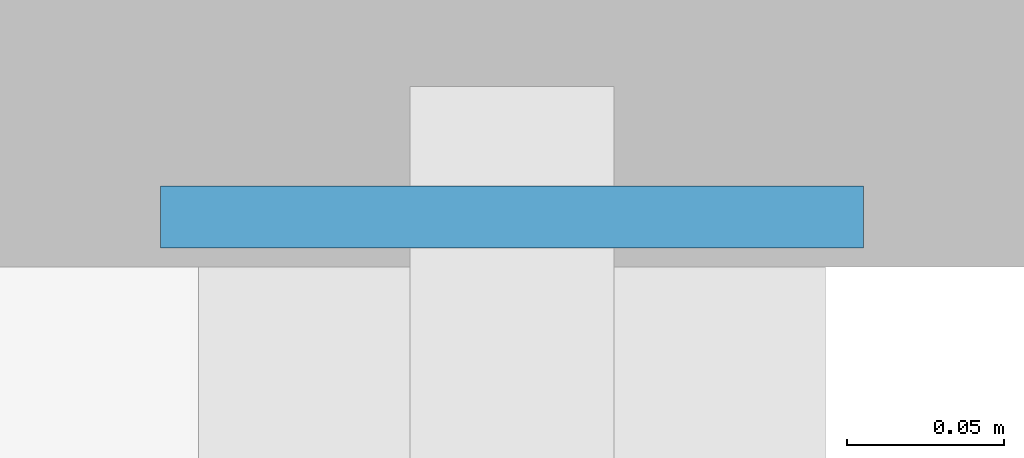
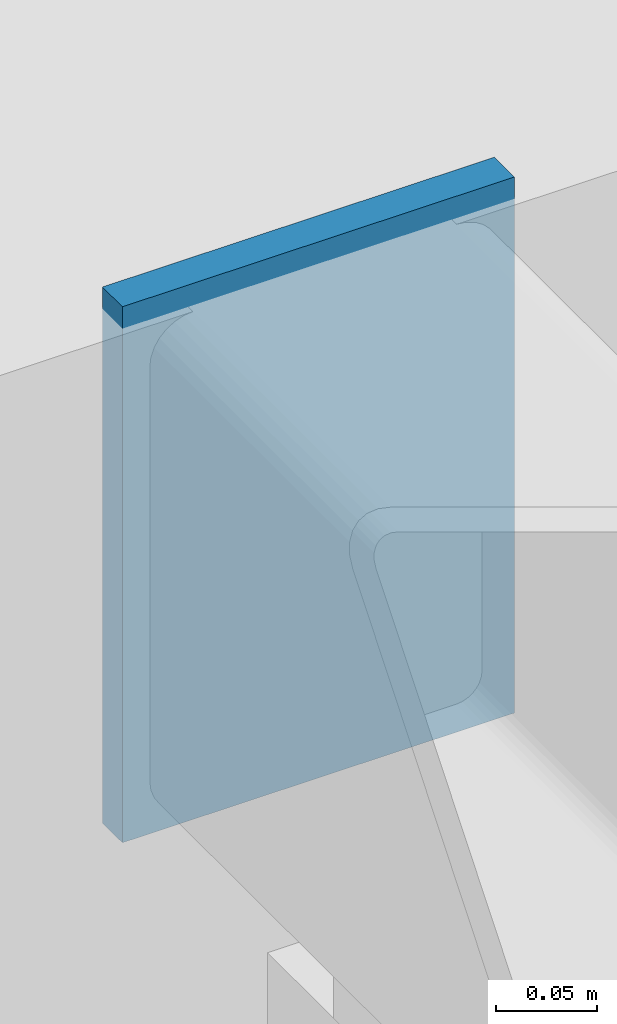
# One storey, part 97 of 138: 1 discrete accessory.
"""IFC4 building model written with IfcOpenShell, lengths in metres."""

from ifc_helpers import new_model, si_unit, direction, frame, origin, origin_2d, place, context, subcontext, project, spatial, rectangle, extrude, material, layer, layer_set, type_object, element, save


model = new_model("IFC4")

# Units and contexts
model_context = context("Model", 3, precision=1e-05, world=origin(), true_north=direction((0.0, 1.0)))
body_context = subcontext(model_context, "Body", "Model", "MODEL_VIEW")
ifc_project = project(units=[si_unit("LENGTHUNIT", "METRE"), si_unit("AREAUNIT", "SQUARE_METRE"), si_unit("VOLUMEUNIT", "CUBIC_METRE"), si_unit("PLANEANGLEUNIT", "RADIAN"), si_unit("MASSUNIT", "GRAM", prefix="KILO")], contexts=[model_context])

# Site, building, storey
site_placement = place(None, origin())
site = spatial("IfcSite", under=ifc_project, at=site_placement, CompositionType="ELEMENT")
building_placement = place(site_placement, origin())
building = spatial("IfcBuilding", under=site, at=building_placement, Name="Kranzveld Transit Interchange", CompositionType="ELEMENT")
storey_placement = place(building_placement, origin())
storey = spatial("IfcBuildingStorey", under=building, at=storey_placement, Name="L00", CompositionType="ELEMENT", Elevation=0.0)

# Discrete accessory
ifc_material = material(Name="Steel S355JR", Category="steel")
ifc_layer = layer(ifc_material, 0.02001953125)
ifc_layer_set = layer_set([ifc_layer], Name="Steel S355JR")
discrete_accessory_type = type_object("IfcDiscreteAccessoryType", Name="Hollow Section End Cap Bracket 20 S355JR", PredefinedType="BRACKET", material=ifc_layer_set)
discrete_accessory_placement = place(storey_placement, frame((33.60009765625, 63.631103515625, 5.0), z_axis=(0.0, 1.0, 0.0), x_axis=(-1.0, 0.0, 0.0)))
element("IfcDiscreteAccessory", 1, at=discrete_accessory_placement, inside=storey, type_object=discrete_accessory_type, Name="Hollow Section End Cap SP-RHS300-2", PredefinedType="BRACKET", context=body_context, shape_type="SweptSolid", body=[
    extrude(rectangle(XDim=0.22412109375, YDim=0.323974609375, at=origin_2d()), origin(), (0.0, 0.0, 1.0), 0.019775390625),
])

save(model, "model.ifc")
